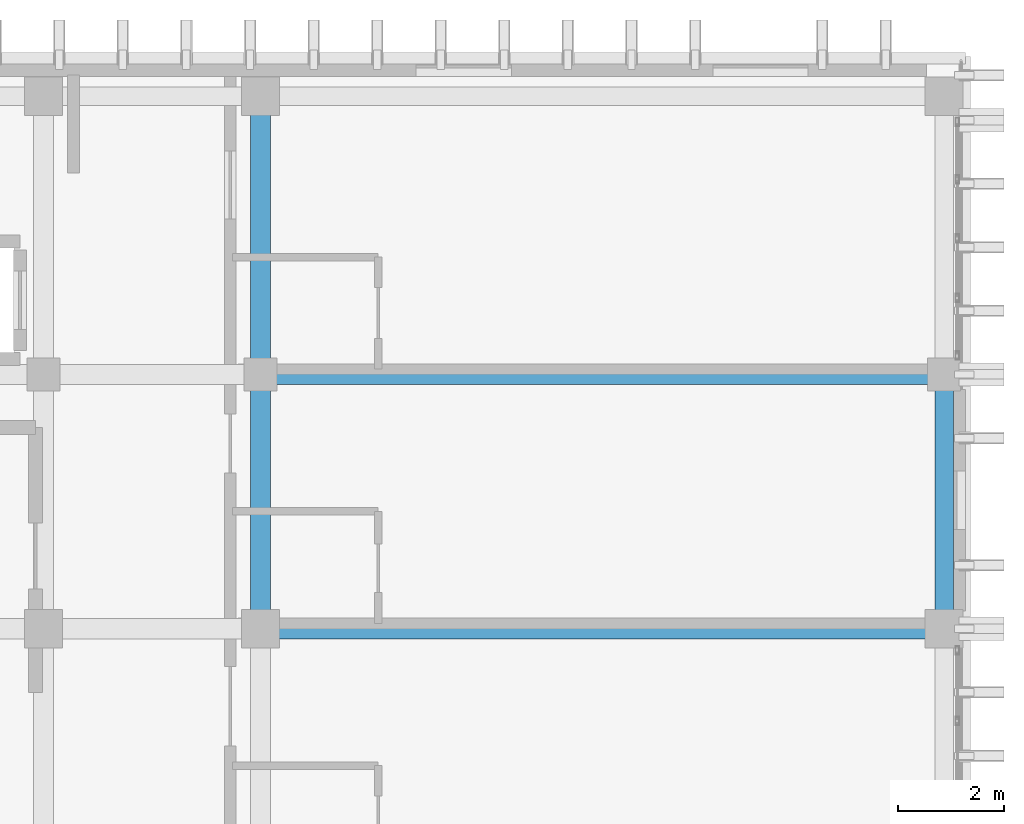
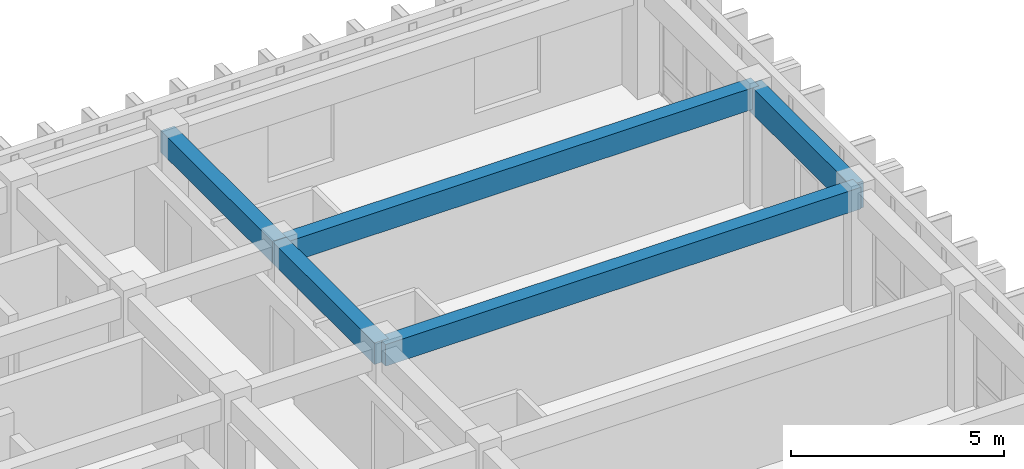
# One storey, part 40 of 59: 5 beams.
"""IFC4 building model written with IfcOpenShell, lengths in metres."""

from ifc_helpers import new_model, si_unit, direction, frame, origin, origin_2d, place, context, subcontext, project, spatial, rectangle, extrude, material, material_profile, profile_set, type_object, element, save


model = new_model("IFC4")

# Units and contexts
model_context = context("Model", 3, precision=1e-05, world=origin(), true_north=direction((0.0, 1.0)))
body_context = subcontext(model_context, "Body", "Model", "MODEL_VIEW")
ifc_project = project(units=[si_unit("LENGTHUNIT", "METRE"), si_unit("AREAUNIT", "SQUARE_METRE"), si_unit("VOLUMEUNIT", "CUBIC_METRE"), si_unit("PLANEANGLEUNIT", "RADIAN"), si_unit("MASSUNIT", "GRAM", prefix="KILO")], contexts=[model_context])

# Site, building, storey
site_placement = place(None, origin())
site = spatial("IfcSite", under=ifc_project, at=site_placement, CompositionType="ELEMENT")
building_placement = place(site_placement, origin())
building = spatial("IfcBuilding", under=site, at=building_placement, Name="Nakhvara Creek Congress Hotel", CompositionType="ELEMENT")
storey_placement = place(building_placement, frame((0.0, 0.0, 31.800048828125)))
storey = spatial("IfcBuildingStorey", under=building, at=storey_placement, Name="L07", CompositionType="ELEMENT", Elevation=31.800048828125)

# Beams
ifc_material = material(Name="Concrete C40/50", Category="concrete")
ifc_material_profile_1 = material_profile(ifc_material, rectangle(XDim=0.3798828125, YDim=0.6201171875, at=origin_2d()), Name="RC-BM 380x620", Category="LoadBearing")
ifc_profile_set_1 = profile_set([ifc_material_profile_1], Name="Concrete C40/50")
beam_type_1 = type_object("IfcBeamType", Name="BM-RC-380X620", PredefinedType="BEAM", material=ifc_profile_set_1)
beam_1_placement = place(storey_placement, frame((166.449951171875, 115.199951171875, 3.050048828125), z_axis=(1.0, 0.0, 0.0), x_axis=(0.0, 1.0, 0.0)))
element("IfcBeam", 1, at=beam_1_placement, inside=storey, type_object=beam_type_1, Name="Beam B10-L07-2386", PredefinedType="BEAM", context=body_context, shape_type="SweptSolid", body=[
    extrude(rectangle(XDim=0.3798828125, YDim=0.6201171875, at=origin_2d()), origin(), (0.0, 0.0, 1.0), 12.900146484375),
])
beam_2_placement = place(storey_placement, frame((166.449951171875, 115.199951171875, 3.050048828125), z_axis=(0.0, 1.0, 0.0), x_axis=(-1.0, 0.0, 0.0)))
element("IfcBeam", 2, at=beam_2_placement, inside=storey, type_object=beam_type_1, Name="Beam B10-L07-2388", PredefinedType="BEAM", context=body_context, shape_type="SweptSolid", body=[
    extrude(rectangle(XDim=0.3798828125, YDim=0.6201171875, at=origin_2d()), origin(), (0.0, 0.0, 1.0), 4.800048828125),
])
beam_3_placement = place(storey_placement, frame((166.449951171875, 120.0, 3.050048828125), z_axis=(0.0, 1.0, 0.0), x_axis=(-1.0, 0.0, 0.0)))
element("IfcBeam", 3, at=beam_3_placement, inside=storey, type_object=beam_type_1, Name="Beam B10-L07-2390", PredefinedType="BEAM", context=body_context, shape_type="SweptSolid", body=[
    extrude(rectangle(XDim=0.3798828125, YDim=0.6201171875, at=origin_2d()), origin(), (0.0, 0.0, 1.0), 5.25),
])
beam_4_placement = place(storey_placement, frame((166.449951171875, 120.0, 3.050048828125), z_axis=(1.0, 0.0, 0.0), x_axis=(0.0, 1.0, 0.0)))
element("IfcBeam", 4, at=beam_4_placement, inside=storey, type_object=beam_type_1, Name="Beam B10-L07-2428", PredefinedType="BEAM", context=body_context, shape_type="SweptSolid", body=[
    extrude(rectangle(XDim=0.3798828125, YDim=0.6201171875, at=origin_2d()), origin(), (0.0, 0.0, 1.0), 12.900146484375),
])
ifc_material_profile_2 = material_profile(ifc_material, rectangle(XDim=0.35009765625, YDim=0.75, at=origin_2d()), Name="RC-SPANDREL 350x750", Category="LoadBearing")
ifc_profile_set_2 = profile_set([ifc_material_profile_2], Name="Concrete C40/50")
beam_type_2 = type_object("IfcBeamType", Name="BM-SPN-350X750", PredefinedType="SPANDREL", material=ifc_profile_set_2)
beam_5_placement = place(storey_placement, frame((179.35009765625, 115.199951171875, 2.98486328125), z_axis=(0.0, 1.0, 0.0), x_axis=(-1.0, 0.0, 0.0)))
element("IfcBeam", 5, at=beam_5_placement, inside=storey, type_object=beam_type_2, Name="Beam SP1-L07-2405", PredefinedType="SPANDREL", context=body_context, shape_type="SweptSolid", body=[
    extrude(rectangle(XDim=0.35009765625, YDim=0.75, at=origin_2d()), origin(), (0.0, 0.0, 1.0), 4.800048828125),
])

save(model, "model.ifc")
